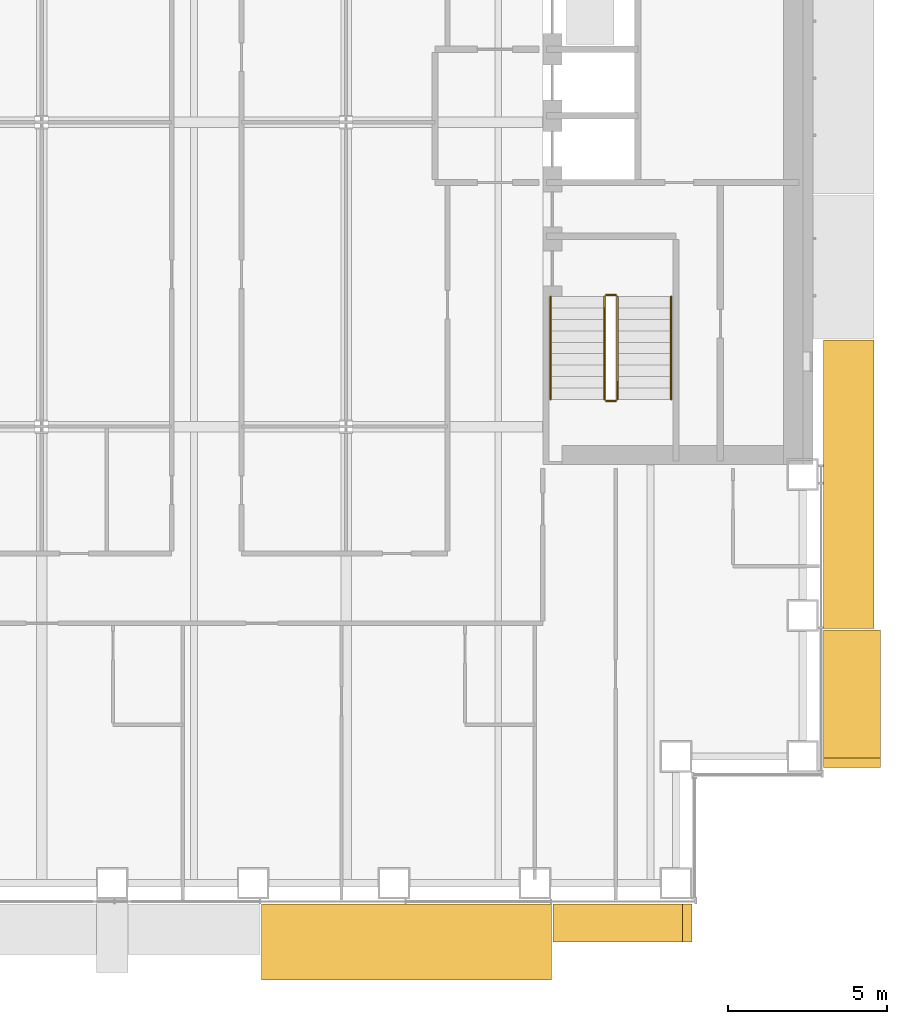
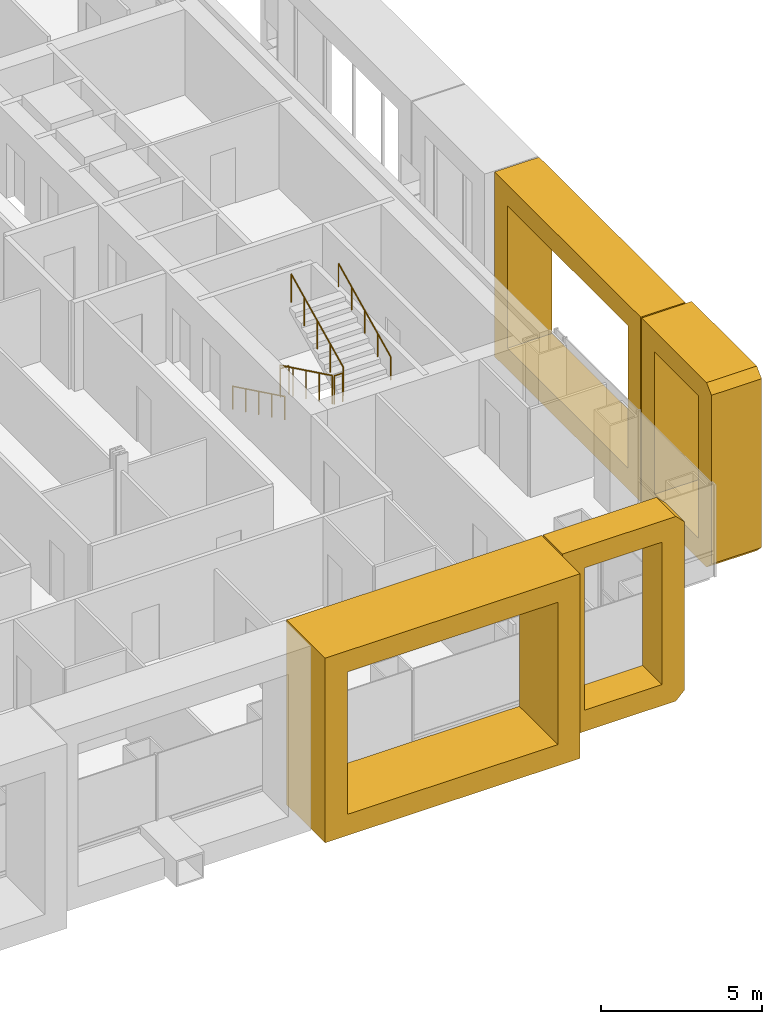
# One storey, part 22 of 25: 6 railings, 4 coverings.
"""IFC4 building model written with IfcOpenShell, lengths in metres."""

from ifc_helpers import new_model, si_unit, direction, frame, origin, origin_2d, place, context, subcontext, project, spatial, polyline, circle, outline, extrude, material, type_object, element, save


model = new_model("IFC4")

# Units and contexts
model_context = context("Model", 3, precision=1e-05, world=origin(), true_north=direction((0.0, 1.0)))
body_context = subcontext(model_context, "Body", "Model", "MODEL_VIEW")
ifc_project = project(units=[si_unit("LENGTHUNIT", "METRE"), si_unit("AREAUNIT", "SQUARE_METRE"), si_unit("VOLUMEUNIT", "CUBIC_METRE"), si_unit("PLANEANGLEUNIT", "RADIAN"), si_unit("MASSUNIT", "GRAM", prefix="KILO")], contexts=[model_context])

# Site, building, storey
site_placement = place(None, origin())
site = spatial("IfcSite", under=ifc_project, at=site_placement, CompositionType="ELEMENT")
building_placement = place(site_placement, origin())
building = spatial("IfcBuilding", under=site, at=building_placement, Name="Cobrizo Arcos Hotel Tower", CompositionType="ELEMENT")
storey_placement = place(building_placement, frame((0.0, 0.0, 53.0)))
storey = spatial("IfcBuildingStorey", under=building, at=storey_placement, Name="L11", CompositionType="ELEMENT", Elevation=53.0)

# Coverings
ifc_material_1 = material(Name="Aluminium 6063-T6 anodised bronze", Category="aluminium")
covering_type_1 = type_object("IfcCoveringType", Name="FIN-F 1200", PredefinedType="CLADDING", material=ifc_material_1)
covering_1_placement = place(storey_placement, frame((16.125, -24.64990234375, 0.0), z_axis=(0.0, -1.0, 0.0), x_axis=(1.0, 0.0, 0.0)))
element("IfcCovering", 1, at=covering_1_placement, inside=storey, type_object=covering_type_1, Name="Fin frame 54", PredefinedType="CLADDING", context=body_context, shape_type="SweptSolid", body=[
    extrude(outline(polyline([(0.0, 7.0), (0.0, 0.0), (4.074951171875, 0.0), (4.375, 0.300048828125), (4.375, 6.699951171875), (4.074951171875, 7.0), (0.0, 7.0)]), holes=[polyline([(3.574951171875, 0.800048828125), (0.800048828125, 0.800048828125), (0.800048828125, 6.199951171875), (3.574951171875, 6.199951171875), (3.574951171875, 0.800048828125)])]), origin(), (0.0, 0.0, 1.0), 1.2001953125),
])
covering_type_2 = type_object("IfcCoveringType", Name="FIN-F 1600", PredefinedType="CLADDING", material=ifc_material_1)
covering_2_placement = place(storey_placement, frame((24.64990234375, -15.958251953125, 0.0), z_axis=(1.0, 0.0, 0.0), x_axis=(0.0, 1.0, 0.0)))
element("IfcCovering", 2, at=covering_2_placement, inside=storey, type_object=covering_type_2, Name="Fin frame 28", PredefinedType="CLADDING", context=body_context, shape_type="SweptSolid", body=[
    extrude(outline(polyline([(0.0, 7.0), (0.0, 0.0), (9.083251953125, 0.0), (9.083251953125, 7.0), (0.0, 7.0)]), holes=[polyline([(8.283203125, 0.800048828125), (0.800048828125, 0.800048828125), (0.800048828125, 6.199951171875), (8.283203125, 6.199951171875), (8.283203125, 0.800048828125)])]), origin(), (0.0, 0.0, 1.0), 1.60009765625),
])
covering_type_3 = type_object("IfcCoveringType", Name="FIN-F 1800", PredefinedType="CLADDING", material=ifc_material_1)
covering_3_placement = place(storey_placement, frame((24.64990234375, -20.35009765625, 0.0), z_axis=(1.0, 0.0, 0.0), x_axis=(0.0, 1.0, 0.0)))
element("IfcCovering", 3, at=covering_3_placement, inside=storey, type_object=covering_type_3, Name="Fin frame 27", PredefinedType="CLADDING", context=body_context, shape_type="SweptSolid", body=[
    extrude(outline(polyline([(0.0, 0.300048828125), (0.300048828125, 0.0), (4.341796875, 0.0), (4.341796875, 7.0), (0.300048828125, 7.0), (0.0, 6.699951171875), (0.0, 0.300048828125)]), holes=[polyline([(3.541748046875, 0.800048828125), (0.800048828125, 0.800048828125), (0.800048828125, 6.199951171875), (3.541748046875, 6.199951171875), (3.541748046875, 0.800048828125)])]), origin(), (0.0, 0.0, 1.0), 1.800048828125),
])
covering_type_4 = type_object("IfcCoveringType", Name="FIN-F 2400", PredefinedType="CLADDING", material=ifc_material_1)
covering_4_placement = place(storey_placement, frame((6.925048828125, -24.64990234375, 0.0), z_axis=(0.0, -1.0, 0.0), x_axis=(1.0, 0.0, 0.0)))
element("IfcCovering", 4, at=covering_4_placement, inside=storey, type_object=covering_type_4, Name="Fin frame 53", PredefinedType="CLADDING", context=body_context, shape_type="SweptSolid", body=[
    extrude(outline(polyline([(0.0, 7.0), (0.0, 0.0), (9.14990234375, 0.0), (9.14990234375, 7.0), (0.0, 7.0)]), holes=[polyline([(8.35009765625, 0.800048828125), (0.800048828125, 0.800048828125), (0.800048828125, 6.199951171875), (8.35009765625, 6.199951171875), (8.35009765625, 0.800048828125)])]), origin(), (0.0, 0.0, 1.0), 2.400146484375),
])

# Railings
ifc_material_2 = material(Name="Stainless steel railing", Category="steel")
railing_type_1 = type_object("IfcRailingType", Name="Stair guard 1100", PredefinedType="GUARDRAIL", material=ifc_material_2)
railing_1_placement = place(storey_placement, frame((17.75, -5.5, 0.175048828125)))
element("IfcRailing", 5, at=railing_1_placement, inside=storey, type_object=railing_type_1, Name="L11 ST-E stair guard 1", PredefinedType="GUARDRAIL", context=body_context, shape_type="SweptSolid", body=[
    extrude(circle(Radius=0.02392578125, at=origin_2d()), frame((0.0, 0.0, 1.076171875), z_axis=(0.0, -0.899372665325, 0.437182809435), x_axis=(1.0, 0.0, 0.0)), (0.0, 0.0, 1.0), 3.6025390625),
    extrude(circle(Radius=0.02099609375, at=origin_2d()), origin(), (0.0, 0.0, 1.0), 1.052001953125),
    extrude(circle(Radius=0.02099609375, at=origin_2d()), frame((0.0, -0.81005859375, 0.393798828125)), (0.0, 0.0, 1.0), 1.052001953125),
    extrude(circle(Radius=0.02099609375, at=origin_2d()), frame((0.0, -1.6201171875, 0.78759765625)), (0.0, 0.0, 1.0), 1.052001953125),
    extrude(circle(Radius=0.02099609375, at=origin_2d()), frame((0.0, -2.429931640625, 1.18115234375)), (0.0, 0.0, 1.0), 1.052001953125),
    extrude(circle(Radius=0.02099609375, at=origin_2d()), frame((0.0, -3.239990234375, 1.574951171875)), (0.0, 0.0, 1.0), 1.052001953125),
])
railing_2_placement = place(storey_placement, frame((17.800048828125, -8.7900390625, 1.75)))
element("IfcRailing", 6, at=railing_2_placement, inside=storey, type_object=railing_type_1, Name="L11 ST-E stair guard 2", PredefinedType="GUARDRAIL", context=body_context, shape_type="SweptSolid", body=[
    extrude(circle(Radius=0.02392578125, at=origin_2d()), frame((0.0, 0.0, 1.076171875), z_axis=(1.0, 0.0, 0.0), x_axis=(0.0, 1.0, 0.0)), (0.0, 0.0, 1.0), 0.300048828125),
    extrude(circle(Radius=0.02099609375, at=origin_2d()), origin(), (0.0, 0.0, 1.0), 1.052001953125),
    extrude(circle(Radius=0.02099609375, at=origin_2d()), frame((0.300048828125, 0.0, 0.0)), (0.0, 0.0, 1.0), 1.052001953125),
])
railing_3_placement = place(storey_placement, frame((18.14990234375, -8.739990234375, 1.925048828125)))
element("IfcRailing", 7, at=railing_3_placement, inside=storey, type_object=railing_type_1, Name="L11 ST-E stair guard 3", PredefinedType="GUARDRAIL", context=body_context, shape_type="SweptSolid", body=[
    extrude(circle(Radius=0.02392578125, at=origin_2d()), frame((0.0, 0.0, 1.076171875), z_axis=(0.0, 0.899372665325, 0.437182809435), x_axis=(-1.0, 0.0, 0.0)), (0.0, 0.0, 1.0), 3.6025390625),
    extrude(circle(Radius=0.02099609375, at=origin_2d()), origin(), (0.0, 0.0, 1.0), 1.052001953125),
    extrude(circle(Radius=0.02099609375, at=origin_2d()), frame((0.0, 0.81005859375, 0.393798828125)), (0.0, 0.0, 1.0), 1.052001953125),
    extrude(circle(Radius=0.02099609375, at=origin_2d()), frame((0.0, 1.6201171875, 0.78759765625)), (0.0, 0.0, 1.0), 1.052001953125),
    extrude(circle(Radius=0.02099609375, at=origin_2d()), frame((0.0, 2.429931640625, 1.18115234375)), (0.0, 0.0, 1.0), 1.052001953125),
    extrude(circle(Radius=0.02099609375, at=origin_2d()), frame((0.0, 3.239990234375, 1.574951171875)), (0.0, 0.0, 1.0), 1.052001953125),
])
railing_4_placement = place(storey_placement, frame((17.800048828125, -5.449951171875, 0.0)))
element("IfcRailing", 8, at=railing_4_placement, inside=storey, type_object=railing_type_1, Name="L11 ST-E stair guard 4", PredefinedType="GUARDRAIL", context=body_context, shape_type="SweptSolid", body=[
    extrude(circle(Radius=0.02392578125, at=origin_2d()), frame((0.0, 0.0, 1.076171875), z_axis=(1.0, 0.0, 0.0), x_axis=(0.0, 1.0, 0.0)), (0.0, 0.0, 1.0), 0.300048828125),
    extrude(circle(Radius=0.02099609375, at=origin_2d()), origin(), (0.0, 0.0, 1.0), 1.052001953125),
    extrude(circle(Radius=0.02099609375, at=origin_2d()), frame((0.300048828125, 0.0, 0.0)), (0.0, 0.0, 1.0), 1.052001953125),
])
railing_type_2 = type_object("IfcRailingType", Name="Stair handrail", PredefinedType="HANDRAIL", material=ifc_material_2)
railing_5_placement = place(storey_placement, frame((16.050048828125, -5.5, 0.175048828125)))
element("IfcRailing", 9, at=railing_5_placement, inside=storey, type_object=railing_type_2, Name="L11 ST-E stair handrail 1", PredefinedType="HANDRAIL", context=body_context, shape_type="SweptSolid", body=[
    extrude(circle(Radius=0.02392578125, at=origin_2d()), frame((0.0, 0.0, 0.8759765625), z_axis=(0.0, -0.899372665325, 0.437182809435), x_axis=(1.0, 0.0, 0.0)), (0.0, 0.0, 1.0), 3.6025390625),
    extrude(circle(Radius=0.02099609375, at=origin_2d()), origin(), (0.0, 0.0, 1.0), 0.851806640625),
    extrude(circle(Radius=0.02099609375, at=origin_2d()), frame((0.0, -0.81005859375, 0.393798828125)), (0.0, 0.0, 1.0), 0.851806640625),
    extrude(circle(Radius=0.02099609375, at=origin_2d()), frame((0.0, -1.6201171875, 0.78759765625)), (0.0, 0.0, 1.0), 0.851806640625),
    extrude(circle(Radius=0.02099609375, at=origin_2d()), frame((0.0, -2.429931640625, 1.18115234375)), (0.0, 0.0, 1.0), 0.851806640625),
    extrude(circle(Radius=0.02099609375, at=origin_2d()), frame((0.0, -3.239990234375, 1.574951171875)), (0.0, 0.0, 1.0), 0.851806640625),
])
railing_6_placement = place(storey_placement, frame((19.85009765625, -8.739990234375, 1.925048828125)))
element("IfcRailing", 10, at=railing_6_placement, inside=storey, type_object=railing_type_2, Name="L11 ST-E stair handrail 2", PredefinedType="HANDRAIL", context=body_context, shape_type="SweptSolid", body=[
    extrude(circle(Radius=0.02392578125, at=origin_2d()), frame((0.0, 0.0, 0.8759765625), z_axis=(0.0, 0.899372665325, 0.437182809435), x_axis=(-1.0, 0.0, 0.0)), (0.0, 0.0, 1.0), 3.6025390625),
    extrude(circle(Radius=0.02099609375, at=origin_2d()), origin(), (0.0, 0.0, 1.0), 0.851806640625),
    extrude(circle(Radius=0.02099609375, at=origin_2d()), frame((0.0, 0.81005859375, 0.393798828125)), (0.0, 0.0, 1.0), 0.851806640625),
    extrude(circle(Radius=0.02099609375, at=origin_2d()), frame((0.0, 1.6201171875, 0.78759765625)), (0.0, 0.0, 1.0), 0.851806640625),
    extrude(circle(Radius=0.02099609375, at=origin_2d()), frame((0.0, 2.429931640625, 1.18115234375)), (0.0, 0.0, 1.0), 0.851806640625),
    extrude(circle(Radius=0.02099609375, at=origin_2d()), frame((0.0, 3.239990234375, 1.574951171875)), (0.0, 0.0, 1.0), 0.851806640625),
])

save(model, "model.ifc")
